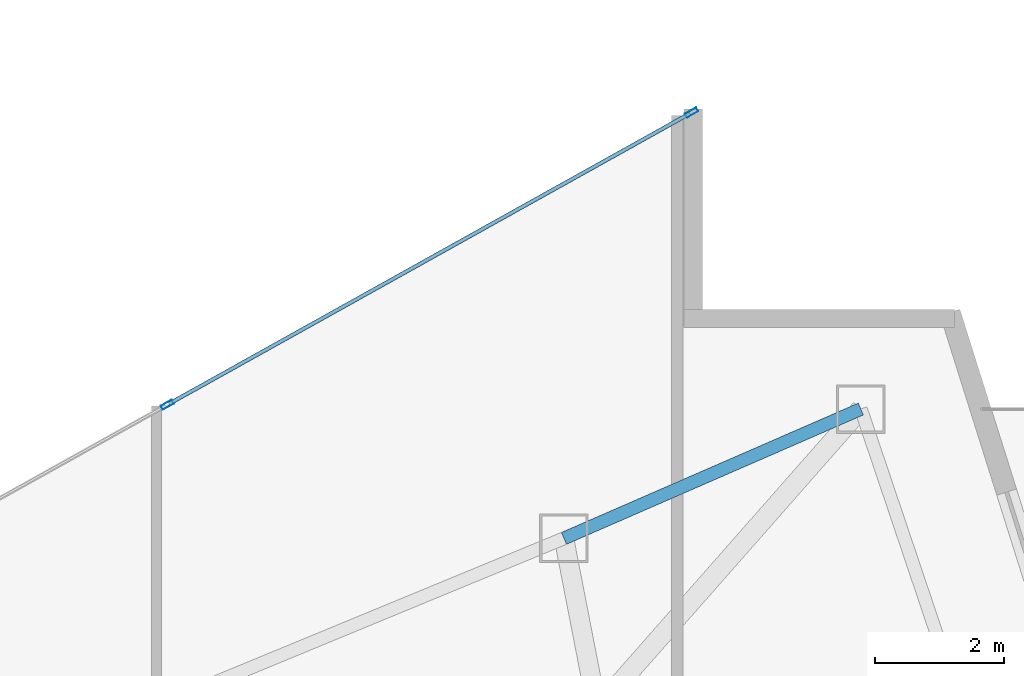
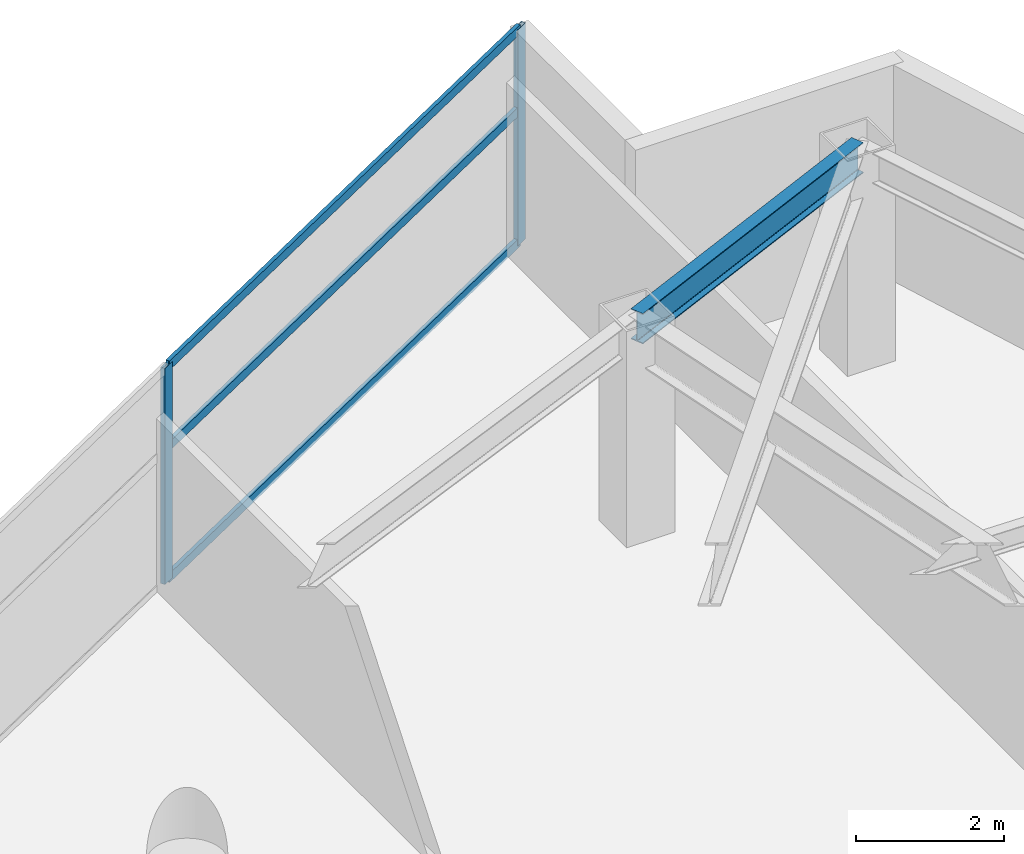
# One storey, part 20 of 28: 5 members, 1 beam, 1 element without a shape of its own.
"""IFC4 building model written with IfcOpenShell, lengths in metres."""

from ifc_helpers import new_model, si_unit, direction, frame, origin, origin_2d, place, context, subcontext, project, spatial, hollow_rectangle, i_section, extrude, material, layer, layer_set, material_profile, profile_set, type_object, element, aggregate, save


model = new_model("IFC4")

# Units and contexts
model_context = context("Model", 3, precision=1e-05, world=origin(), true_north=direction((0.0, 1.0)))
body_context = subcontext(model_context, "Body", "Model", "MODEL_VIEW")
ifc_project = project(units=[si_unit("LENGTHUNIT", "METRE"), si_unit("AREAUNIT", "SQUARE_METRE"), si_unit("VOLUMEUNIT", "CUBIC_METRE"), si_unit("PLANEANGLEUNIT", "RADIAN"), si_unit("MASSUNIT", "GRAM", prefix="KILO")], contexts=[model_context])

# Site, building, storey
site_placement = place(None, origin())
site = spatial("IfcSite", under=ifc_project, at=site_placement, CompositionType="ELEMENT")
building_placement = place(site_placement, origin())
building = spatial("IfcBuilding", under=site, at=building_placement, Name="Calvorn Quay Hotel", CompositionType="ELEMENT")
storey_placement = place(building_placement, frame((0.0, 0.0, 97.39990234375)))
storey = spatial("IfcBuildingStorey", under=building, at=storey_placement, Name="L23", CompositionType="ELEMENT", Elevation=97.39990234375)

# Beam
ifc_material_1 = material(Name="Steel Q355B", Category="steel")
ifc_material_profile_1 = material_profile(ifc_material_1, i_section(OverallWidth=0.199951171875, OverallDepth=0.5, WebThickness=0.010009765625, FlangeThickness=0.01611328125, FilletRadius=0.01611328125, at=origin_2d()), Name="HN500x200x10x16")
ifc_profile_set_1 = profile_set([ifc_material_profile_1], Name="Steel Q355B")
beam_type = type_object("IfcBeamType", Name="BM-SPANDREL-Z1", PredefinedType="SPANDREL", material=ifc_profile_set_1)
beam_placement = place(storey_placement, frame((48.591064453125, 33.39990234375, 3.2900390625), z_axis=(-0.916786146489, -0.399378469132, 0.0), x_axis=(0.399378469132, -0.916786146489, 0.0)))
element("IfcBeam", 1, at=beam_placement, inside=storey, type_object=beam_type, Name="Beam BSP-L23-E3", PredefinedType="SPANDREL", context=body_context, shape_type="SweptSolid", body=[
    extrude(i_section(OverallWidth=0.199951171875, OverallDepth=0.5, WebThickness=0.010009765625, FlangeThickness=0.01611328125, FilletRadius=0.01611328125, at=origin_2d()), origin(), (0.0, 0.0, 1.0), 5.0078125),
])

# Curtain wall, members
ifc_material_2 = material(Name="Pale Anodised Aluminium and Low-E Glass", Category="aluminium")
ifc_layer = layer(ifc_material_2, 0.219970703125)
ifc_layer_set = layer_set([ifc_layer], Name="CW-SYS-Z2")
curtain_wall_type = type_object("IfcCurtainWallType", Name="CW-SYS-Z2", PredefinedType="NOTDEFINED", material=ifc_layer_set)
curtain_wall_placement = place(storey_placement, origin())
curtain_wall = element("IfcCurtainWall", 2, at=curtain_wall_placement, inside=storey, type_object=curtain_wall_type, Name="Inner Court Curtain Wall L23-NE1", PredefinedType="NOTDEFINED")
ifc_material_3 = material(Name="Pale Anodised Aluminium 6063-T6", Category="aluminium")
ifc_material_profile_2 = material_profile(ifc_material_3, hollow_rectangle(XDim=0.070068359375, YDim=0.199951171875, WallThickness=0.00390625, at=origin_2d()), Name="ALU-M200x70x4")
ifc_profile_set_2 = profile_set([ifc_material_profile_2], Name="Pale Anodised Aluminium 6063-T6")
member_type_1 = type_object("IfcMemberType", Name="CW-SYS-Z2-MUL", PredefinedType="MULLION", material=ifc_profile_set_2)
member_1_placement = place(storey_placement, frame((45.973876953125, 37.9853515625, 0.0), z_axis=(0.0, 0.0, 1.0), x_axis=(0.486858256224, -0.873480989116, 0.0)))
member_1 = element("IfcMember", 3, at=member_1_placement, type_object=member_type_1, Name="CW-L23-NE1 mullion 1", PredefinedType="MULLION", context=body_context, shape_type="SweptSolid", body=[
    extrude(hollow_rectangle(XDim=0.070068359375, YDim=0.199951171875, WallThickness=0.00390625, at=origin_2d()), origin(), (0.0, 0.0, 1.0), 3.56005859375),
])
member_2_placement = place(storey_placement, frame((37.86669921875, 33.466552734375, 0.0), z_axis=(0.0, 0.0, 1.0), x_axis=(0.486858256224, -0.873480989116, 0.0)))
member_2 = element("IfcMember", 4, at=member_2_placement, type_object=member_type_1, Name="CW-L23-NE1 mullion 2", PredefinedType="MULLION", context=body_context, shape_type="SweptSolid", body=[
    extrude(hollow_rectangle(XDim=0.070068359375, YDim=0.199951171875, WallThickness=0.00390625, at=origin_2d()), origin(), (0.0, 0.0, 1.0), 3.56005859375),
])
ifc_material_4 = material(Name="Pale Anodised Aluminium 6063-T6", Category="aluminium")
ifc_material_profile_3 = material_profile(ifc_material_4, hollow_rectangle(XDim=0.06005859375, YDim=0.14990234375, WallThickness=0.00341796875, at=origin_2d()), Name="ALU-T150x60x3.5")
ifc_profile_set_3 = profile_set([ifc_material_profile_3], Name="Pale Anodised Aluminium 6063-T6")
member_type_2 = type_object("IfcMemberType", Name="CW-SYS-Z2-TRN", PredefinedType="USERDEFINED", material=ifc_profile_set_3)
member_3_placement = place(storey_placement, frame((45.947509765625, 37.970703125, 0.030029296875), z_axis=(-0.87348080454, -0.486858587375, 0.0), x_axis=(0.486858587375, -0.87348080454, 0.0)))
member_3 = element("IfcMember", 5, at=member_3_placement, type_object=member_type_2, Name="CW-L23-NE1 transom 1.1", ObjectType="TRANSOM", PredefinedType="USERDEFINED", context=body_context, shape_type="SweptSolid", body=[
    extrude(hollow_rectangle(XDim=0.06005859375, YDim=0.14990234375, WallThickness=0.00341796875, at=origin_2d()), origin(), (0.0, 0.0, 1.0), 9.221435546875),
])
member_4_placement = place(storey_placement, frame((45.947509765625, 37.970703125, 2.2001953125), z_axis=(-0.87348080454, -0.486858587375, 0.0), x_axis=(0.486858587375, -0.87348080454, 0.0)))
member_4 = element("IfcMember", 6, at=member_4_placement, type_object=member_type_2, Name="CW-L23-NE1 transom 1.2", ObjectType="TRANSOM", PredefinedType="USERDEFINED", context=body_context, shape_type="SweptSolid", body=[
    extrude(hollow_rectangle(XDim=0.06005859375, YDim=0.14990234375, WallThickness=0.00341796875, at=origin_2d()), origin(), (0.0, 0.0, 1.0), 9.221435546875),
])
member_5_placement = place(storey_placement, frame((45.947509765625, 37.970703125, 3.530029296875), z_axis=(-0.87348080454, -0.486858587375, 0.0), x_axis=(0.486858587375, -0.87348080454, 0.0)))
member_5 = element("IfcMember", 7, at=member_5_placement, type_object=member_type_2, Name="CW-L23-NE1 transom 1.3", ObjectType="TRANSOM", PredefinedType="USERDEFINED", context=body_context, shape_type="SweptSolid", body=[
    extrude(hollow_rectangle(XDim=0.06005859375, YDim=0.14990234375, WallThickness=0.00341796875, at=origin_2d()), origin(), (0.0, 0.0, 1.0), 9.221435546875),
])
aggregate(curtain_wall, [member_1, member_2, member_3, member_4, member_5])

save(model, "model.ifc")
